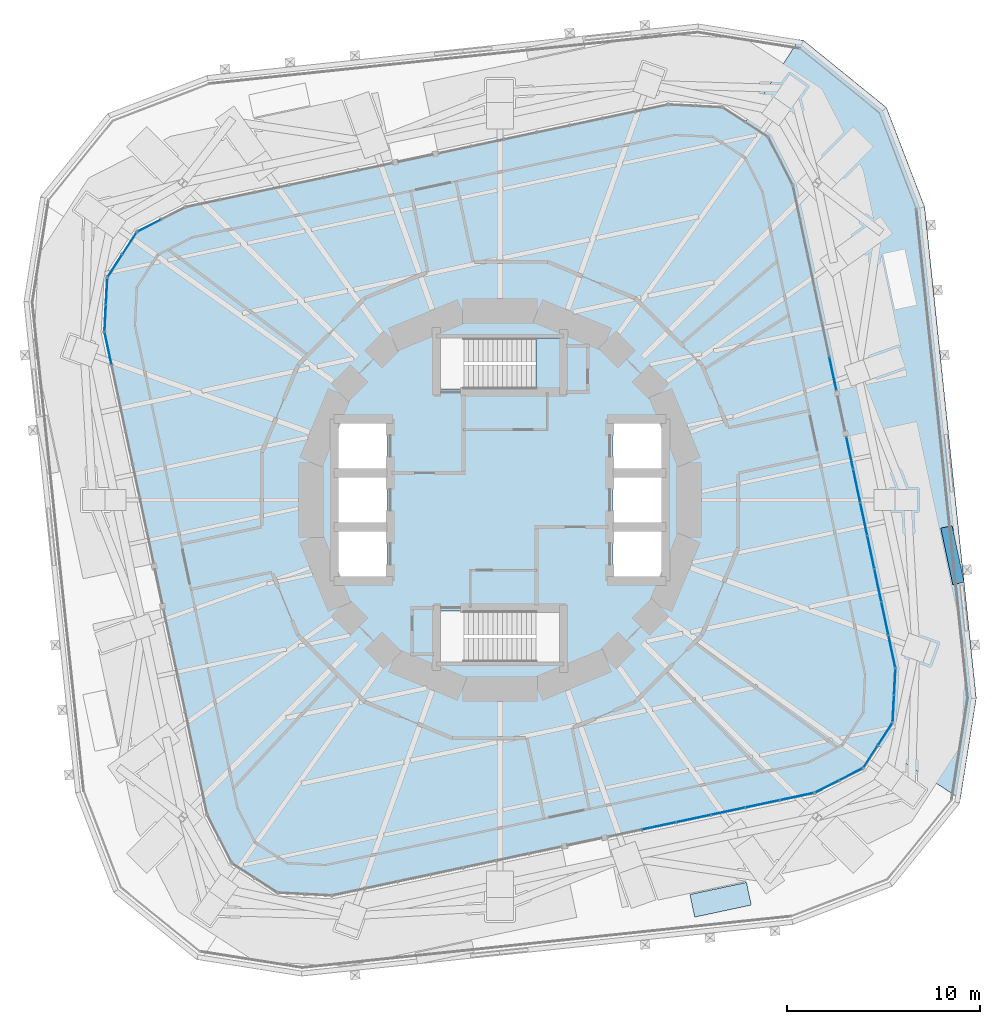
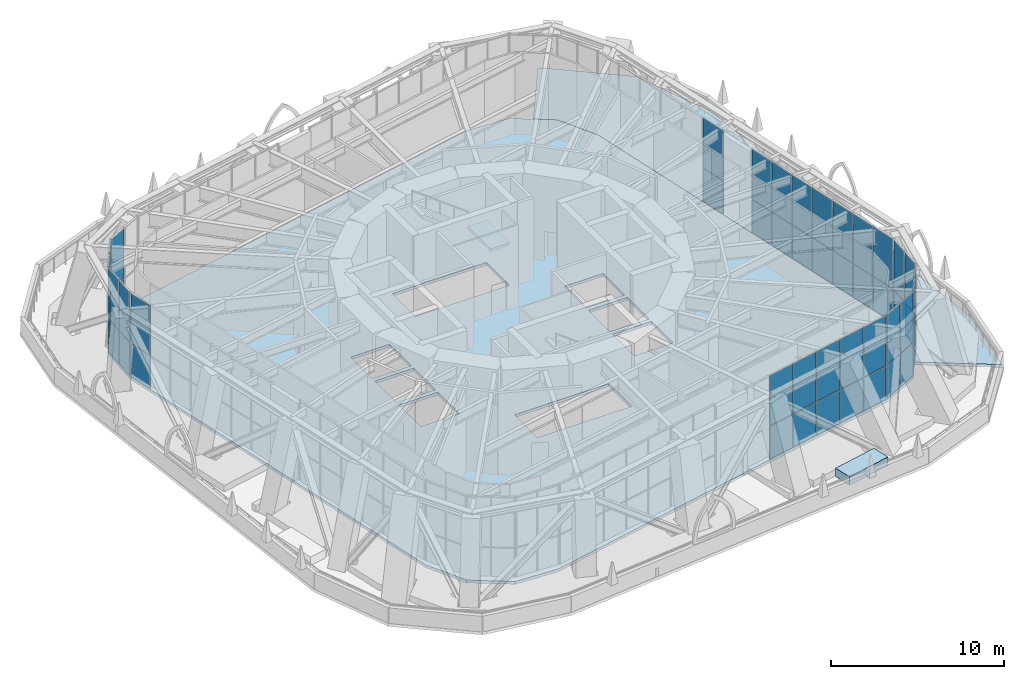
# One storey, part 13 of 23: 52 plates, 3 slabs, 11 elements without a shape of their own.
"""IFC4 building model written with IfcOpenShell, lengths in metres."""

from ifc_helpers import new_model, si_unit, direction, frame, origin, origin_2d, place, context, subcontext, project, spatial, polyline, rectangle, outline, extrude, material, layer, layer_set, type_object, element, aggregate, save


model = new_model("IFC4")

# Units and contexts
model_context = context("Model", 3, precision=1e-05, world=origin(), true_north=direction((0.0, 1.0)))
body_context = subcontext(model_context, "Body", "Model", "MODEL_VIEW")
ifc_project = project(units=[si_unit("LENGTHUNIT", "METRE"), si_unit("AREAUNIT", "SQUARE_METRE"), si_unit("VOLUMEUNIT", "CUBIC_METRE"), si_unit("PLANEANGLEUNIT", "RADIAN"), si_unit("MASSUNIT", "GRAM", prefix="KILO")], contexts=[model_context])

# Site, building, storey
site_placement = place(None, origin())
site = spatial("IfcSite", under=ifc_project, at=site_placement, CompositionType="ELEMENT")
building_placement = place(site_placement, origin())
building = spatial("IfcBuilding", under=site, at=building_placement, Name="Nakasero Lantern House", CompositionType="ELEMENT")
storey_placement = place(building_placement, frame((0.0, 0.0, 95.14990234375)))
storey = spatial("IfcBuildingStorey", under=building, at=storey_placement, Name="L23", CompositionType="ELEMENT", Elevation=95.14990234375)

# Slab
ifc_material_1 = material(Name="Concrete C35/45", Category="concrete")
ifc_layer_1 = layer(ifc_material_1, 0.199951171875)
ifc_layer_set_1 = layer_set([ifc_layer_1], Name="Composite floor slab 200")
slab_type_1 = type_object("IfcSlabType", Name="Composite floor slab 200", PredefinedType="FLOOR", material=ifc_layer_set_1)
slab_1_placement = place(storey_placement, frame((0.0, 0.0, -0.199951171875)))
element("IfcSlab", 1, at=slab_1_placement, inside=storey, type_object=slab_type_1, Name="Floor slab L23", PredefinedType="FLOOR", context=body_context, shape_type="SweptSolid", body=[
    extrude(outline(polyline([(20.512451171875, -8.725830078125), (15.18994140625, 16.314697265625), (13.9091796875, 18.828369140625), (11.543212890625, 20.36474609375), (8.725830078125, 20.512451171875), (-16.314697265625, 15.18994140625), (-18.828369140625, 13.9091796875), (-20.36474609375, 11.543212890625), (-20.512451171875, 8.725830078125), (-15.18994140625, -16.314697265625), (-13.9091796875, -18.828369140625), (-11.543212890625, -20.36474609375), (-8.725830078125, -20.512451171875), (16.314697265625, -15.18994140625), (18.828369140625, -13.9091796875), (20.36474609375, -11.543212890625), (20.512451171875, -8.725830078125)]), holes=[polyline([(-8.449951171875, -4.050048828125), (-5.85009765625, -4.050048828125), (-5.85009765625, -1.550048828125), (-8.449951171875, -1.550048828125), (-8.449951171875, -4.050048828125)]), polyline([(-8.449951171875, -1.25), (-5.85009765625, -1.25), (-5.85009765625, 1.25), (-8.449951171875, 1.25), (-8.449951171875, -1.25)]), polyline([(-8.449951171875, 1.550048828125), (-5.85009765625, 1.550048828125), (-5.85009765625, 4.050048828125), (-8.449951171875, 4.050048828125), (-8.449951171875, 1.550048828125)]), polyline([(5.85009765625, -4.050048828125), (8.449951171875, -4.050048828125), (8.449951171875, -1.550048828125), (5.85009765625, -1.550048828125), (5.85009765625, -4.050048828125)]), polyline([(5.85009765625, -1.25), (8.449951171875, -1.25), (8.449951171875, 1.25), (5.85009765625, 1.25), (5.85009765625, -1.25)]), polyline([(5.85009765625, 1.550048828125), (8.449951171875, 1.550048828125), (8.449951171875, 4.050048828125), (5.85009765625, 4.050048828125), (5.85009765625, 1.550048828125)]), polyline([(-3.14990234375, 5.75), (3.14990234375, 5.75), (3.14990234375, 8.39990234375), (-3.14990234375, 8.39990234375), (-3.14990234375, 5.75)]), polyline([(-3.14990234375, -8.39990234375), (3.14990234375, -8.39990234375), (3.14990234375, -5.75), (-3.14990234375, -5.75), (-3.14990234375, -8.39990234375)])]), origin(), (0.0, 0.0, 1.0), 0.199951171875),
])

# Curtain wall, plates
ifc_material_2 = material(Name="Aluminium 6063-T6 and glass", Category="aluminium")
curtain_wall_type = type_object("IfcCurtainWallType", Name="Sky lounge glazing CW-3", PredefinedType="USERDEFINED", material=ifc_material_2)
curtain_wall_1_placement = place(storey_placement, origin())
curtain_wall_1 = element("IfcCurtainWall", 2, at=curtain_wall_1_placement, inside=storey, type_object=curtain_wall_type, Name="Curtain wall CW-3 L23", ObjectType="STICK CURTAIN WALL", PredefinedType="USERDEFINED")
ifc_material_3 = material(Name="Glass", Category="glass")
ifc_layer_2 = layer(ifc_material_3, 0.028076171875)
ifc_layer_set_2 = layer_set([ifc_layer_2], Name="Glazed panel CW-3")
plate_type_1 = type_object("IfcPlateType", Name="Glazed panel CW-3", PredefinedType="CURTAIN_PANEL", material=ifc_layer_set_2)
plate_1_placement = place(storey_placement, frame((19.23388671875, -2.710205078125, 0.06005859375), z_axis=(0.0, 0.0, 1.0), x_axis=(-0.207911690818, 0.978147600734, 0.0)))
plate_1 = element("IfcPlate", 3, at=plate_1_placement, type_object=plate_type_1, Name="CW-3 panel 4.1", PredefinedType="CURTAIN_PANEL", context=body_context, shape_type="SweptSolid", body=[
    extrude(rectangle(XDim=1.697021484375, YDim=0.028076171875, at=origin_2d()), origin(), (0.0, 0.0, 1.0), 2.31005859375),
])
plate_2_placement = place(storey_placement, frame((19.23388671875, -2.710205078125, 2.43017578125), z_axis=(0.0, 0.0, 1.0), x_axis=(-0.207911690818, 0.978147600734, 0.0)))
plate_2 = element("IfcPlate", 4, at=plate_2_placement, type_object=plate_type_1, Name="CW-3 panel 4.2", PredefinedType="CURTAIN_PANEL", context=body_context, shape_type="SweptSolid", body=[
    extrude(rectangle(XDim=1.697021484375, YDim=0.028076171875, at=origin_2d()), origin(), (0.0, 0.0, 1.0), 3.510009765625),
])
plate_3_placement = place(storey_placement, frame((18.140869140625, 2.43115234375, 0.06005859375), z_axis=(0.0, 0.0, 1.0), x_axis=(-0.207911690818, 0.978147600734, 0.0)))
plate_3 = element("IfcPlate", 5, at=plate_3_placement, type_object=plate_type_1, Name="CW-3 panel 7.1", PredefinedType="CURTAIN_PANEL", context=body_context, shape_type="SweptSolid", body=[
    extrude(rectangle(XDim=1.667236328125, YDim=0.028076171875, at=origin_2d()), origin(), (0.0, 0.0, 1.0), 2.31005859375),
])
plate_4_placement = place(storey_placement, frame((18.140869140625, 2.43115234375, 2.43017578125), z_axis=(0.0, 0.0, 1.0), x_axis=(-0.207911690818, 0.978147600734, 0.0)))
plate_4 = element("IfcPlate", 6, at=plate_4_placement, type_object=plate_type_1, Name="CW-3 panel 7.2", PredefinedType="CURTAIN_PANEL", context=body_context, shape_type="SweptSolid", body=[
    extrude(rectangle(XDim=1.667236328125, YDim=0.028076171875, at=origin_2d()), origin(), (0.0, 0.0, 1.0), 3.510009765625),
])

curtain_wall_2_placement = place(storey_placement, origin())
curtain_wall_2 = element("IfcCurtainWall", 7, at=curtain_wall_2_placement, inside=storey, type_object=curtain_wall_type, Name="Curtain wall CW-3 L23", ObjectType="STICK CURTAIN WALL", PredefinedType="USERDEFINED")
plate_5_placement = place(storey_placement, frame((8.244873046875, -16.9052734375, 0.06005859375), z_axis=(0.0, 0.0, 1.0), x_axis=(0.978147600734, 0.207911690818, 0.0)))
plate_5 = element("IfcPlate", 8, at=plate_5_placement, type_object=plate_type_1, Name="CW-3 panel 2.1", PredefinedType="CURTAIN_PANEL", context=body_context, shape_type="SweptSolid", body=[
    extrude(rectangle(XDim=1.7734375, YDim=0.028076171875, at=origin_2d()), origin(), (0.0, 0.0, 1.0), 2.31005859375),
])
plate_6_placement = place(storey_placement, frame((8.244873046875, -16.9052734375, 2.43017578125), z_axis=(0.0, 0.0, 1.0), x_axis=(0.978147600734, 0.207911690818, 0.0)))
plate_6 = element("IfcPlate", 9, at=plate_6_placement, type_object=plate_type_1, Name="CW-3 panel 2.2", PredefinedType="CURTAIN_PANEL", context=body_context, shape_type="SweptSolid", body=[
    extrude(rectangle(XDim=1.7734375, YDim=0.028076171875, at=origin_2d()), origin(), (0.0, 0.0, 1.0), 3.510009765625),
])
plate_7_placement = place(storey_placement, frame((10.038330078125, -16.52392578125, 0.06005859375), z_axis=(0.0, 0.0, 1.0), x_axis=(0.978147600734, 0.207911690818, 0.0)))
plate_7 = element("IfcPlate", 10, at=plate_7_placement, type_object=plate_type_1, Name="CW-3 panel 3.1", PredefinedType="CURTAIN_PANEL", context=body_context, shape_type="SweptSolid", body=[
    extrude(rectangle(XDim=1.7734375, YDim=0.028076171875, at=origin_2d()), origin(), (0.0, 0.0, 1.0), 2.31005859375),
])
plate_8_placement = place(storey_placement, frame((10.038330078125, -16.52392578125, 2.43017578125), z_axis=(0.0, 0.0, 1.0), x_axis=(0.978147600734, 0.207911690818, 0.0)))
plate_8 = element("IfcPlate", 11, at=plate_8_placement, type_object=plate_type_1, Name="CW-3 panel 3.2", PredefinedType="CURTAIN_PANEL", context=body_context, shape_type="SweptSolid", body=[
    extrude(rectangle(XDim=1.7734375, YDim=0.028076171875, at=origin_2d()), origin(), (0.0, 0.0, 1.0), 3.510009765625),
])
plate_9_placement = place(storey_placement, frame((13.624755859375, -15.76171875, 0.06005859375), z_axis=(0.0, 0.0, 1.0), x_axis=(0.978147600734, 0.207911690818, 0.0)))
plate_9 = element("IfcPlate", 12, at=plate_9_placement, type_object=plate_type_1, Name="CW-3 panel 5.1", PredefinedType="CURTAIN_PANEL", context=body_context, shape_type="SweptSolid", body=[
    extrude(rectangle(XDim=1.7734375, YDim=0.028076171875, at=origin_2d()), origin(), (0.0, 0.0, 1.0), 2.31005859375),
])
plate_10_placement = place(storey_placement, frame((13.624755859375, -15.76171875, 2.43017578125), z_axis=(0.0, 0.0, 1.0), x_axis=(0.978147600734, 0.207911690818, 0.0)))
plate_10 = element("IfcPlate", 13, at=plate_10_placement, type_object=plate_type_1, Name="CW-3 panel 5.2", PredefinedType="CURTAIN_PANEL", context=body_context, shape_type="SweptSolid", body=[
    extrude(rectangle(XDim=1.7734375, YDim=0.028076171875, at=origin_2d()), origin(), (0.0, 0.0, 1.0), 3.510009765625),
])

# Plate
ifc_material_4 = material(Name="Aluminium 6063-T6 and insulation", Category="aluminium")
ifc_layer_3 = layer(ifc_material_4, 0.028076171875)
ifc_layer_set_3 = layer_set([ifc_layer_3], Name="Insulated panel CW-3")
plate_type_2 = type_object("IfcPlateType", Name="Insulated panel CW-3", PredefinedType="CURTAIN_PANEL", material=ifc_layer_set_3)
plate_11_placement = place(storey_placement, frame((20.32666015625, -7.851806640625, 0.06005859375), z_axis=(0.0, 0.0, 1.0), x_axis=(-0.207911690818, 0.978147600734, 0.0)))
plate_11 = element("IfcPlate", 14, at=plate_11_placement, type_object=plate_type_2, Name="CW-3 panel 1.1", PredefinedType="CURTAIN_PANEL", context=body_context, shape_type="SweptSolid", body=[
    extrude(rectangle(XDim=1.667236328125, YDim=0.028076171875, at=origin_2d()), origin(), (0.0, 0.0, 1.0), 2.31005859375),
])

plate_12_placement = place(storey_placement, frame((20.32666015625, -7.851806640625, 2.43017578125), z_axis=(0.0, 0.0, 1.0), x_axis=(-0.207911690818, 0.978147600734, 0.0)))
plate_12 = element("IfcPlate", 15, at=plate_12_placement, type_object=plate_type_2, Name="CW-3 panel 1.2", PredefinedType="CURTAIN_PANEL", context=body_context, shape_type="SweptSolid", body=[
    extrude(rectangle(XDim=1.667236328125, YDim=0.028076171875, at=origin_2d()), origin(), (0.0, 0.0, 1.0), 3.510009765625),
])

plate_13_placement = place(storey_placement, frame((19.96435546875, -6.147705078125, 0.06005859375), z_axis=(0.0, 0.0, 1.0), x_axis=(-0.207911690818, 0.978147600734, 0.0)))
plate_13 = element("IfcPlate", 16, at=plate_13_placement, type_object=plate_type_2, Name="CW-3 panel 2.1", PredefinedType="CURTAIN_PANEL", context=body_context, shape_type="SweptSolid", body=[
    extrude(rectangle(XDim=1.697021484375, YDim=0.028076171875, at=origin_2d()), origin(), (0.0, 0.0, 1.0), 2.31005859375),
])

plate_14_placement = place(storey_placement, frame((19.96435546875, -6.147705078125, 2.43017578125), z_axis=(0.0, 0.0, 1.0), x_axis=(-0.207911690818, 0.978147600734, 0.0)))
plate_14 = element("IfcPlate", 17, at=plate_14_placement, type_object=plate_type_2, Name="CW-3 panel 2.2", PredefinedType="CURTAIN_PANEL", context=body_context, shape_type="SweptSolid", body=[
    extrude(rectangle(XDim=1.697021484375, YDim=0.028076171875, at=origin_2d()), origin(), (0.0, 0.0, 1.0), 3.510009765625),
])

plate_15_placement = place(storey_placement, frame((19.59912109375, -4.428955078125, 0.06005859375), z_axis=(0.0, 0.0, 1.0), x_axis=(-0.207911690818, 0.978147600734, 0.0)))
plate_15 = element("IfcPlate", 18, at=plate_15_placement, type_object=plate_type_2, Name="CW-3 panel 3.1", PredefinedType="CURTAIN_PANEL", context=body_context, shape_type="SweptSolid", body=[
    extrude(rectangle(XDim=1.697021484375, YDim=0.028076171875, at=origin_2d()), origin(), (0.0, 0.0, 1.0), 2.31005859375),
])

plate_16_placement = place(storey_placement, frame((19.59912109375, -4.428955078125, 2.43017578125), z_axis=(0.0, 0.0, 1.0), x_axis=(-0.207911690818, 0.978147600734, 0.0)))
plate_16 = element("IfcPlate", 19, at=plate_16_placement, type_object=plate_type_2, Name="CW-3 panel 3.2", PredefinedType="CURTAIN_PANEL", context=body_context, shape_type="SweptSolid", body=[
    extrude(rectangle(XDim=1.697021484375, YDim=0.028076171875, at=origin_2d()), origin(), (0.0, 0.0, 1.0), 3.510009765625),
])

plate_17_placement = place(storey_placement, frame((18.868408203125, -0.991455078125, 0.06005859375), z_axis=(0.0, 0.0, 1.0), x_axis=(-0.207911690818, 0.978147600734, 0.0)))
plate_17 = element("IfcPlate", 20, at=plate_17_placement, type_object=plate_type_2, Name="CW-3 panel 5.1", PredefinedType="CURTAIN_PANEL", context=body_context, shape_type="SweptSolid", body=[
    extrude(rectangle(XDim=1.697021484375, YDim=0.028076171875, at=origin_2d()), origin(), (0.0, 0.0, 1.0), 2.31005859375),
])

plate_18_placement = place(storey_placement, frame((18.868408203125, -0.991455078125, 2.43017578125), z_axis=(0.0, 0.0, 1.0), x_axis=(-0.207911690818, 0.978147600734, 0.0)))
plate_18 = element("IfcPlate", 21, at=plate_18_placement, type_object=plate_type_2, Name="CW-3 panel 5.2", PredefinedType="CURTAIN_PANEL", context=body_context, shape_type="SweptSolid", body=[
    extrude(rectangle(XDim=1.697021484375, YDim=0.028076171875, at=origin_2d()), origin(), (0.0, 0.0, 1.0), 3.510009765625),
])

plate_19_placement = place(storey_placement, frame((18.503173828125, 0.727294921875, 0.06005859375), z_axis=(0.0, 0.0, 1.0), x_axis=(-0.207911690818, 0.978147600734, 0.0)))
plate_19 = element("IfcPlate", 22, at=plate_19_placement, type_object=plate_type_2, Name="CW-3 panel 6.1", PredefinedType="CURTAIN_PANEL", context=body_context, shape_type="SweptSolid", body=[
    extrude(rectangle(XDim=1.697021484375, YDim=0.028076171875, at=origin_2d()), origin(), (0.0, 0.0, 1.0), 2.31005859375),
])

plate_20_placement = place(storey_placement, frame((18.503173828125, 0.727294921875, 2.43017578125), z_axis=(0.0, 0.0, 1.0), x_axis=(-0.207911690818, 0.978147600734, 0.0)))
plate_20 = element("IfcPlate", 23, at=plate_20_placement, type_object=plate_type_2, Name="CW-3 panel 6.2", PredefinedType="CURTAIN_PANEL", context=body_context, shape_type="SweptSolid", body=[
    extrude(rectangle(XDim=1.697021484375, YDim=0.028076171875, at=origin_2d()), origin(), (0.0, 0.0, 1.0), 3.510009765625),
])

aggregate(curtain_wall_1, [plate_11, plate_12, plate_13, plate_14, plate_15, plate_16, plate_1, plate_2, plate_17, plate_18, plate_19, plate_20, plate_3, plate_4])

# Curtain wall, plates
curtain_wall_3_placement = place(storey_placement, origin())
curtain_wall_3 = element("IfcCurtainWall", 24, at=curtain_wall_3_placement, inside=storey, type_object=curtain_wall_type, Name="Curtain wall CW-3 L23", ObjectType="STICK CURTAIN WALL", PredefinedType="USERDEFINED")
plate_21_placement = place(storey_placement, frame((17.26416015625, 6.555908203125, 0.06005859375), z_axis=(0.0, 0.0, 1.0), x_axis=(-0.207911690818, 0.978147600734, 0.0)))
plate_21 = element("IfcPlate", 25, at=plate_21_placement, type_object=plate_type_2, Name="CW-3 panel 1.1", PredefinedType="CURTAIN_PANEL", context=body_context, shape_type="SweptSolid", body=[
    extrude(rectangle(XDim=1.7265625, YDim=0.028076171875, at=origin_2d()), origin(), (0.0, 0.0, 1.0), 2.31005859375),
])
plate_22_placement = place(storey_placement, frame((17.26416015625, 6.555908203125, 2.43017578125), z_axis=(0.0, 0.0, 1.0), x_axis=(-0.207911690818, 0.978147600734, 0.0)))
plate_22 = element("IfcPlate", 26, at=plate_22_placement, type_object=plate_type_2, Name="CW-3 panel 1.2", PredefinedType="CURTAIN_PANEL", context=body_context, shape_type="SweptSolid", body=[
    extrude(rectangle(XDim=1.7265625, YDim=0.028076171875, at=origin_2d()), origin(), (0.0, 0.0, 1.0), 3.510009765625),
])
aggregate(curtain_wall_3, [plate_21, plate_22])

curtain_wall_4_placement = place(storey_placement, origin())
curtain_wall_4 = element("IfcCurtainWall", 27, at=curtain_wall_4_placement, inside=storey, type_object=curtain_wall_type, Name="Curtain wall CW-3 L23", ObjectType="STICK CURTAIN WALL", PredefinedType="USERDEFINED")
plate_23_placement = place(storey_placement, frame((-18.1865234375, 14.236083984375, 0.06005859375), z_axis=(0.0, 0.0, 1.0), x_axis=(-0.891006524228, -0.453990499662, 0.0)))
plate_23 = element("IfcPlate", 28, at=plate_23_placement, type_object=plate_type_2, Name="CW-3 panel 2.1", PredefinedType="CURTAIN_PANEL", context=body_context, shape_type="SweptSolid", body=[
    extrude(rectangle(XDim=1.320556640625, YDim=0.028076171875, at=origin_2d()), origin(), (0.0, 0.0, 1.0), 2.31005859375),
])
plate_24_placement = place(storey_placement, frame((-18.1865234375, 14.236083984375, 2.43017578125), z_axis=(0.0, 0.0, 1.0), x_axis=(-0.891006524228, -0.453990499662, 0.0)))
plate_24 = element("IfcPlate", 29, at=plate_24_placement, type_object=plate_type_2, Name="CW-3 panel 2.2", PredefinedType="CURTAIN_PANEL", context=body_context, shape_type="SweptSolid", body=[
    extrude(rectangle(XDim=1.320556640625, YDim=0.028076171875, at=origin_2d()), origin(), (0.0, 0.0, 1.0), 3.510009765625),
])
aggregate(curtain_wall_4, [plate_23, plate_24])

curtain_wall_5_placement = place(storey_placement, origin())
curtain_wall_5 = element("IfcCurtainWall", 30, at=curtain_wall_5_placement, inside=storey, type_object=curtain_wall_type, Name="Curtain wall CW-3 L23", ObjectType="STICK CURTAIN WALL", PredefinedType="USERDEFINED")
plate_25_placement = place(storey_placement, frame((-19.220703125, 13.30517578125, 0.06005859375), z_axis=(0.0, 0.0, 1.0), x_axis=(-0.544639034898, -0.838670568021, 0.0)))
plate_25 = element("IfcPlate", 31, at=plate_25_placement, type_object=plate_type_2, Name="CW-3 panel 1.1", PredefinedType="CURTAIN_PANEL", context=body_context, shape_type="SweptSolid", body=[
    extrude(rectangle(XDim=1.320556640625, YDim=0.028076171875, at=origin_2d()), origin(), (0.0, 0.0, 1.0), 2.31005859375),
])
plate_26_placement = place(storey_placement, frame((-19.220703125, 13.30517578125, 2.43017578125), z_axis=(0.0, 0.0, 1.0), x_axis=(-0.544639034898, -0.838670568021, 0.0)))
plate_26 = element("IfcPlate", 32, at=plate_26_placement, type_object=plate_type_2, Name="CW-3 panel 1.2", PredefinedType="CURTAIN_PANEL", context=body_context, shape_type="SweptSolid", body=[
    extrude(rectangle(XDim=1.320556640625, YDim=0.028076171875, at=origin_2d()), origin(), (0.0, 0.0, 1.0), 3.510009765625),
])
plate_27_placement = place(storey_placement, frame((-19.972412109375, 12.147216796875, 0.06005859375), z_axis=(0.0, 0.0, 1.0), x_axis=(-0.544639034898, -0.838670568021, 0.0)))
plate_27 = element("IfcPlate", 33, at=plate_27_placement, type_object=plate_type_2, Name="CW-3 panel 2.1", PredefinedType="CURTAIN_PANEL", context=body_context, shape_type="SweptSolid", body=[
    extrude(rectangle(XDim=1.320556640625, YDim=0.028076171875, at=origin_2d()), origin(), (0.0, 0.0, 1.0), 2.31005859375),
])
plate_28_placement = place(storey_placement, frame((-19.972412109375, 12.147216796875, 2.43017578125), z_axis=(0.0, 0.0, 1.0), x_axis=(-0.544639034898, -0.838670568021, 0.0)))
plate_28 = element("IfcPlate", 34, at=plate_28_placement, type_object=plate_type_2, Name="CW-3 panel 2.2", PredefinedType="CURTAIN_PANEL", context=body_context, shape_type="SweptSolid", body=[
    extrude(rectangle(XDim=1.320556640625, YDim=0.028076171875, at=origin_2d()), origin(), (0.0, 0.0, 1.0), 3.510009765625),
])
aggregate(curtain_wall_5, [plate_25, plate_26, plate_27, plate_28])

curtain_wall_6_placement = place(storey_placement, origin())
curtain_wall_6 = element("IfcCurtainWall", 35, at=curtain_wall_6_placement, inside=storey, type_object=curtain_wall_type, Name="Curtain wall CW-3 L23", ObjectType="STICK CURTAIN WALL", PredefinedType="USERDEFINED")
plate_29_placement = place(storey_placement, frame((-20.402587890625, 10.823974609375, 0.06005859375), z_axis=(0.0, 0.0, 1.0), x_axis=(-0.052335956173, -0.998629534758, 0.0)))
plate_29 = element("IfcPlate", 36, at=plate_29_placement, type_object=plate_type_2, Name="CW-3 panel 1.1", PredefinedType="CURTAIN_PANEL", context=body_context, shape_type="SweptSolid", body=[
    extrude(rectangle(XDim=1.320556640625, YDim=0.028076171875, at=origin_2d()), origin(), (0.0, 0.0, 1.0), 2.31005859375),
])
plate_30_placement = place(storey_placement, frame((-20.402587890625, 10.823974609375, 2.43017578125), z_axis=(0.0, 0.0, 1.0), x_axis=(-0.052335956173, -0.998629534758, 0.0)))
plate_30 = element("IfcPlate", 37, at=plate_30_placement, type_object=plate_type_2, Name="CW-3 panel 1.2", PredefinedType="CURTAIN_PANEL", context=body_context, shape_type="SweptSolid", body=[
    extrude(rectangle(XDim=1.320556640625, YDim=0.028076171875, at=origin_2d()), origin(), (0.0, 0.0, 1.0), 3.510009765625),
])
plate_31_placement = place(storey_placement, frame((-20.474853515625, 9.4453125, 0.06005859375), z_axis=(0.0, 0.0, 1.0), x_axis=(-0.052335956173, -0.998629534758, 0.0)))
plate_31 = element("IfcPlate", 38, at=plate_31_placement, type_object=plate_type_2, Name="CW-3 panel 2.1", PredefinedType="CURTAIN_PANEL", context=body_context, shape_type="SweptSolid", body=[
    extrude(rectangle(XDim=1.320556640625, YDim=0.028076171875, at=origin_2d()), origin(), (0.0, 0.0, 1.0), 2.31005859375),
])
plate_32_placement = place(storey_placement, frame((-20.474853515625, 9.4453125, 2.43017578125), z_axis=(0.0, 0.0, 1.0), x_axis=(-0.052335956173, -0.998629534758, 0.0)))
plate_32 = element("IfcPlate", 39, at=plate_32_placement, type_object=plate_type_2, Name="CW-3 panel 2.2", PredefinedType="CURTAIN_PANEL", context=body_context, shape_type="SweptSolid", body=[
    extrude(rectangle(XDim=1.320556640625, YDim=0.028076171875, at=origin_2d()), origin(), (0.0, 0.0, 1.0), 3.510009765625),
])
aggregate(curtain_wall_6, [plate_29, plate_30, plate_31, plate_32])

curtain_wall_7_placement = place(storey_placement, origin())
curtain_wall_7 = element("IfcCurtainWall", 40, at=curtain_wall_7_placement, inside=storey, type_object=curtain_wall_type, Name="Curtain wall CW-3 L23", ObjectType="STICK CURTAIN WALL", PredefinedType="USERDEFINED")
plate_33_placement = place(storey_placement, frame((-20.32666015625, 7.851806640625, 0.06005859375), z_axis=(0.0, 0.0, 1.0), x_axis=(0.207911690818, -0.978147600734, 0.0)))
plate_33 = element("IfcPlate", 41, at=plate_33_placement, type_object=plate_type_2, Name="CW-3 panel 1.1", PredefinedType="CURTAIN_PANEL", context=body_context, shape_type="SweptSolid", body=[
    extrude(rectangle(XDim=1.667236328125, YDim=0.028076171875, at=origin_2d()), origin(), (0.0, 0.0, 1.0), 2.31005859375),
])
plate_34_placement = place(storey_placement, frame((-20.32666015625, 7.851806640625, 2.43017578125), z_axis=(0.0, 0.0, 1.0), x_axis=(0.207911690818, -0.978147600734, 0.0)))
plate_34 = element("IfcPlate", 42, at=plate_34_placement, type_object=plate_type_2, Name="CW-3 panel 1.2", PredefinedType="CURTAIN_PANEL", context=body_context, shape_type="SweptSolid", body=[
    extrude(rectangle(XDim=1.667236328125, YDim=0.028076171875, at=origin_2d()), origin(), (0.0, 0.0, 1.0), 3.510009765625),
])
aggregate(curtain_wall_7, [plate_33, plate_34])

# Plate
plate_35_placement = place(storey_placement, frame((11.83154296875, -16.142822265625, 0.06005859375), z_axis=(0.0, 0.0, 1.0), x_axis=(0.978147600734, 0.207911690818, 0.0)))
plate_35 = element("IfcPlate", 43, at=plate_35_placement, type_object=plate_type_2, Name="CW-3 panel 4.1", PredefinedType="CURTAIN_PANEL", context=body_context, shape_type="SweptSolid", body=[
    extrude(rectangle(XDim=1.7734375, YDim=0.028076171875, at=origin_2d()), origin(), (0.0, 0.0, 1.0), 2.31005859375),
])

plate_36_placement = place(storey_placement, frame((11.83154296875, -16.142822265625, 2.43017578125), z_axis=(0.0, 0.0, 1.0), x_axis=(0.978147600734, 0.207911690818, 0.0)))
plate_36 = element("IfcPlate", 44, at=plate_36_placement, type_object=plate_type_2, Name="CW-3 panel 4.2", PredefinedType="CURTAIN_PANEL", context=body_context, shape_type="SweptSolid", body=[
    extrude(rectangle(XDim=1.7734375, YDim=0.028076171875, at=origin_2d()), origin(), (0.0, 0.0, 1.0), 3.510009765625),
])

plate_37_placement = place(storey_placement, frame((15.4033203125, -15.383544921875, 0.06005859375), z_axis=(0.0, 0.0, 1.0), x_axis=(0.978147600734, 0.207911690818, 0.0)))
plate_37 = element("IfcPlate", 45, at=plate_37_placement, type_object=plate_type_2, Name="CW-3 panel 6.1", PredefinedType="CURTAIN_PANEL", context=body_context, shape_type="SweptSolid", body=[
    extrude(rectangle(XDim=1.743408203125, YDim=0.028076171875, at=origin_2d()), origin(), (0.0, 0.0, 1.0), 2.31005859375),
])

plate_38_placement = place(storey_placement, frame((15.4033203125, -15.383544921875, 2.43017578125), z_axis=(0.0, 0.0, 1.0), x_axis=(0.978147600734, 0.207911690818, 0.0)))
plate_38 = element("IfcPlate", 46, at=plate_38_placement, type_object=plate_type_2, Name="CW-3 panel 6.2", PredefinedType="CURTAIN_PANEL", context=body_context, shape_type="SweptSolid", body=[
    extrude(rectangle(XDim=1.743408203125, YDim=0.028076171875, at=origin_2d()), origin(), (0.0, 0.0, 1.0), 3.510009765625),
])

aggregate(curtain_wall_2, [plate_5, plate_6, plate_7, plate_8, plate_35, plate_36, plate_9, plate_10, plate_37, plate_38])

# Curtain wall, plates
curtain_wall_8_placement = place(storey_placement, origin())
curtain_wall_8 = element("IfcCurtainWall", 47, at=curtain_wall_8_placement, inside=storey, type_object=curtain_wall_type, Name="Curtain wall CW-3 L23", ObjectType="STICK CURTAIN WALL", PredefinedType="USERDEFINED")
plate_39_placement = place(storey_placement, frame((16.95654296875, -14.863037109375, 0.06005859375), z_axis=(0.0, 0.0, 1.0), x_axis=(0.891006524228, 0.453990499662, 0.0)))
plate_39 = element("IfcPlate", 48, at=plate_39_placement, type_object=plate_type_2, Name="CW-3 panel 1.1", PredefinedType="CURTAIN_PANEL", context=body_context, shape_type="SweptSolid", body=[
    extrude(rectangle(XDim=1.320556640625, YDim=0.028076171875, at=origin_2d()), origin(), (0.0, 0.0, 1.0), 2.31005859375),
])
plate_40_placement = place(storey_placement, frame((16.95654296875, -14.863037109375, 2.43017578125), z_axis=(0.0, 0.0, 1.0), x_axis=(0.891006524228, 0.453990499662, 0.0)))
plate_40 = element("IfcPlate", 49, at=plate_40_placement, type_object=plate_type_2, Name="CW-3 panel 1.2", PredefinedType="CURTAIN_PANEL", context=body_context, shape_type="SweptSolid", body=[
    extrude(rectangle(XDim=1.320556640625, YDim=0.028076171875, at=origin_2d()), origin(), (0.0, 0.0, 1.0), 3.510009765625),
])
plate_41_placement = place(storey_placement, frame((18.1865234375, -14.236083984375, 0.06005859375), z_axis=(0.0, 0.0, 1.0), x_axis=(0.891006524228, 0.453990499662, 0.0)))
plate_41 = element("IfcPlate", 50, at=plate_41_placement, type_object=plate_type_2, Name="CW-3 panel 2.1", PredefinedType="CURTAIN_PANEL", context=body_context, shape_type="SweptSolid", body=[
    extrude(rectangle(XDim=1.320556640625, YDim=0.028076171875, at=origin_2d()), origin(), (0.0, 0.0, 1.0), 2.31005859375),
])
plate_42_placement = place(storey_placement, frame((18.1865234375, -14.236083984375, 2.43017578125), z_axis=(0.0, 0.0, 1.0), x_axis=(0.891006524228, 0.453990499662, 0.0)))
plate_42 = element("IfcPlate", 51, at=plate_42_placement, type_object=plate_type_2, Name="CW-3 panel 2.2", PredefinedType="CURTAIN_PANEL", context=body_context, shape_type="SweptSolid", body=[
    extrude(rectangle(XDim=1.320556640625, YDim=0.028076171875, at=origin_2d()), origin(), (0.0, 0.0, 1.0), 3.510009765625),
])
aggregate(curtain_wall_8, [plate_39, plate_40, plate_41, plate_42])

curtain_wall_9_placement = place(storey_placement, origin())
curtain_wall_9 = element("IfcCurtainWall", 52, at=curtain_wall_9_placement, inside=storey, type_object=curtain_wall_type, Name="Curtain wall CW-3 L23", ObjectType="STICK CURTAIN WALL", PredefinedType="USERDEFINED")
plate_43_placement = place(storey_placement, frame((19.220703125, -13.30517578125, 0.06005859375), z_axis=(0.0, 0.0, 1.0), x_axis=(0.544639034898, 0.838670568021, 0.0)))
plate_43 = element("IfcPlate", 53, at=plate_43_placement, type_object=plate_type_2, Name="CW-3 panel 1.1", PredefinedType="CURTAIN_PANEL", context=body_context, shape_type="SweptSolid", body=[
    extrude(rectangle(XDim=1.320556640625, YDim=0.028076171875, at=origin_2d()), origin(), (0.0, 0.0, 1.0), 2.31005859375),
])
plate_44_placement = place(storey_placement, frame((19.220703125, -13.30517578125, 2.43017578125), z_axis=(0.0, 0.0, 1.0), x_axis=(0.544639034898, 0.838670568021, 0.0)))
plate_44 = element("IfcPlate", 54, at=plate_44_placement, type_object=plate_type_2, Name="CW-3 panel 1.2", PredefinedType="CURTAIN_PANEL", context=body_context, shape_type="SweptSolid", body=[
    extrude(rectangle(XDim=1.320556640625, YDim=0.028076171875, at=origin_2d()), origin(), (0.0, 0.0, 1.0), 3.510009765625),
])
plate_45_placement = place(storey_placement, frame((19.972412109375, -12.147216796875, 0.06005859375), z_axis=(0.0, 0.0, 1.0), x_axis=(0.544639034898, 0.838670568021, 0.0)))
plate_45 = element("IfcPlate", 55, at=plate_45_placement, type_object=plate_type_2, Name="CW-3 panel 2.1", PredefinedType="CURTAIN_PANEL", context=body_context, shape_type="SweptSolid", body=[
    extrude(rectangle(XDim=1.320556640625, YDim=0.028076171875, at=origin_2d()), origin(), (0.0, 0.0, 1.0), 2.31005859375),
])
plate_46_placement = place(storey_placement, frame((19.972412109375, -12.147216796875, 2.43017578125), z_axis=(0.0, 0.0, 1.0), x_axis=(0.544639034898, 0.838670568021, 0.0)))
plate_46 = element("IfcPlate", 56, at=plate_46_placement, type_object=plate_type_2, Name="CW-3 panel 2.2", PredefinedType="CURTAIN_PANEL", context=body_context, shape_type="SweptSolid", body=[
    extrude(rectangle(XDim=1.320556640625, YDim=0.028076171875, at=origin_2d()), origin(), (0.0, 0.0, 1.0), 3.510009765625),
])
aggregate(curtain_wall_9, [plate_43, plate_44, plate_45, plate_46])

curtain_wall_10_placement = place(storey_placement, origin())
curtain_wall_10 = element("IfcCurtainWall", 57, at=curtain_wall_10_placement, inside=storey, type_object=curtain_wall_type, Name="Curtain wall CW-3 L23", ObjectType="STICK CURTAIN WALL", PredefinedType="USERDEFINED")
plate_47_placement = place(storey_placement, frame((20.402587890625, -10.823974609375, 0.06005859375), z_axis=(0.0, 0.0, 1.0), x_axis=(0.052335956173, 0.998629534758, 0.0)))
plate_47 = element("IfcPlate", 58, at=plate_47_placement, type_object=plate_type_2, Name="CW-3 panel 1.1", PredefinedType="CURTAIN_PANEL", context=body_context, shape_type="SweptSolid", body=[
    extrude(rectangle(XDim=1.320556640625, YDim=0.028076171875, at=origin_2d()), origin(), (0.0, 0.0, 1.0), 2.31005859375),
])
plate_48_placement = place(storey_placement, frame((20.402587890625, -10.823974609375, 2.43017578125), z_axis=(0.0, 0.0, 1.0), x_axis=(0.052335956173, 0.998629534758, 0.0)))
plate_48 = element("IfcPlate", 59, at=plate_48_placement, type_object=plate_type_2, Name="CW-3 panel 1.2", PredefinedType="CURTAIN_PANEL", context=body_context, shape_type="SweptSolid", body=[
    extrude(rectangle(XDim=1.320556640625, YDim=0.028076171875, at=origin_2d()), origin(), (0.0, 0.0, 1.0), 3.510009765625),
])
plate_49_placement = place(storey_placement, frame((20.474853515625, -9.4453125, 0.06005859375), z_axis=(0.0, 0.0, 1.0), x_axis=(0.052335956173, 0.998629534758, 0.0)))
plate_49 = element("IfcPlate", 60, at=plate_49_placement, type_object=plate_type_2, Name="CW-3 panel 2.1", PredefinedType="CURTAIN_PANEL", context=body_context, shape_type="SweptSolid", body=[
    extrude(rectangle(XDim=1.320556640625, YDim=0.028076171875, at=origin_2d()), origin(), (0.0, 0.0, 1.0), 2.31005859375),
])
plate_50_placement = place(storey_placement, frame((20.474853515625, -9.4453125, 2.43017578125), z_axis=(0.0, 0.0, 1.0), x_axis=(0.052335956173, 0.998629534758, 0.0)))
plate_50 = element("IfcPlate", 61, at=plate_50_placement, type_object=plate_type_2, Name="CW-3 panel 2.2", PredefinedType="CURTAIN_PANEL", context=body_context, shape_type="SweptSolid", body=[
    extrude(rectangle(XDim=1.320556640625, YDim=0.028076171875, at=origin_2d()), origin(), (0.0, 0.0, 1.0), 3.510009765625),
])
aggregate(curtain_wall_10, [plate_47, plate_48, plate_49, plate_50])

# Plates
ifc_material_5 = material(Name="Aluminium 6063-T6", Category="aluminium")
ifc_layer_4 = layer(ifc_material_5, 0.60009765625)
ifc_layer_set_4 = layer_set([ifc_layer_4], Name="Sky garden planter 1200x3000")
plate_type_3 = type_object("IfcPlateType", Name="Sky garden planter 1200x3000", PredefinedType="USERDEFINED", material=ifc_layer_set_4)
plate_51_placement = place(storey_placement, frame((23.46826171875, -2.86328125, 0.0), z_axis=(0.0, 0.0, 1.0), x_axis=(0.978147600734, 0.207911690818, 0.0)))
element("IfcPlate", 62, at=plate_51_placement, inside=storey, type_object=plate_type_3, Name="Sky garden PLANTER L23 00", ObjectType="PLANTER", PredefinedType="USERDEFINED", context=body_context, shape_type="SweptSolid", body=[
    extrude(rectangle(XDim=0.60009765625, YDim=3.0, at=origin_2d()), origin(), (0.0, 0.0, 1.0), 0.60009765625),
])
plate_52_placement = place(storey_placement, frame((11.44091796875, -20.734375, 0.0), z_axis=(0.0, 0.0, 1.0), x_axis=(0.207911690818, -0.978147600734, 0.0)))
element("IfcPlate", 63, at=plate_52_placement, inside=storey, type_object=plate_type_3, Name="Sky garden PLANTER L23 31", ObjectType="PLANTER", PredefinedType="USERDEFINED", context=body_context, shape_type="SweptSolid", body=[
    extrude(rectangle(XDim=1.19970703125, YDim=3.0, at=origin_2d()), origin(), (0.0, 0.0, 1.0), 0.60009765625),
])

# Slab
ifc_material_6 = material(Name="Concrete C35/45", Category="concrete")
ifc_layer_5 = layer(ifc_material_6, 0.199951171875)
ifc_layer_set_5 = layer_set([ifc_layer_5], Name="Sky garden terrace slab 200")
slab_type_2 = type_object("IfcSlabType", Name="Sky garden terrace slab 200", PredefinedType="USERDEFINED", material=ifc_layer_set_5)
slab_2_placement = place(storey_placement, frame((0.0, 0.0, -0.199951171875)))
element("IfcSlab", 64, at=slab_2_placement, inside=storey, type_object=slab_type_2, Name="Sky garden terrace L23 E", ObjectType="TERRACE", PredefinedType="USERDEFINED", context=body_context, shape_type="SweptSolid", body=[
    extrude(outline(polyline([(23.880126953125, -15.508056640625), (24.709228515625, -10.2734375), (22.033203125, 15.186279296875), (20.04833984375, 20.357177734375), (15.743896484375, 23.8427734375), (15.508056640625, 23.880126953125), (12.72607421875, 19.5966796875), (13.9091796875, 18.828369140625), (15.18994140625, 16.314697265625), (20.512451171875, -8.725830078125), (20.36474609375, -11.543212890625), (19.5966796875, -12.72607421875), (23.880126953125, -15.508056640625)])), origin(), (0.0, 0.0, 1.0), 0.199951171875),
])

# Stair, slab
ifc_material_7 = material(Name="Concrete C40/50", Category="concrete")
stair_type = type_object("IfcStairType", Name="Escape stair ST1 32 risers", PredefinedType="HALF_TURN_STAIR", material=ifc_material_7)
stair_placement = place(storey_placement, origin())
stair = element("IfcStair", 65, at=stair_placement, inside=storey, type_object=stair_type, Name="Escape stair ST1 L23", PredefinedType="HALF_TURN_STAIR")
ifc_material_8 = material(Name="Concrete C40/50", Category="concrete")
ifc_layer_6 = layer(ifc_material_8, 0.199951171875)
ifc_layer_set_6 = layer_set([ifc_layer_6], Name="Stair landing 200")
slab_type_3 = type_object("IfcSlabType", Name="Stair landing 200", PredefinedType="LANDING", material=ifc_layer_set_6)
slab_3_placement = place(storey_placement, frame((0.0, 0.0, 2.800048828125)))
slab_3 = element("IfcSlab", 66, at=slab_3_placement, type_object=slab_type_3, Name="ST1 landing 2", PredefinedType="LANDING", context=body_context, shape_type="SweptSolid", body=[
    extrude(outline(polyline([(1.875, 5.75), (3.14990234375, 5.75), (3.14990234375, 8.39990234375), (1.875, 8.39990234375), (1.875, 5.75)])), origin(), (0.0, 0.0, 1.0), 0.199951171875),
])
aggregate(stair, [slab_3])

save(model, "model.ifc")
